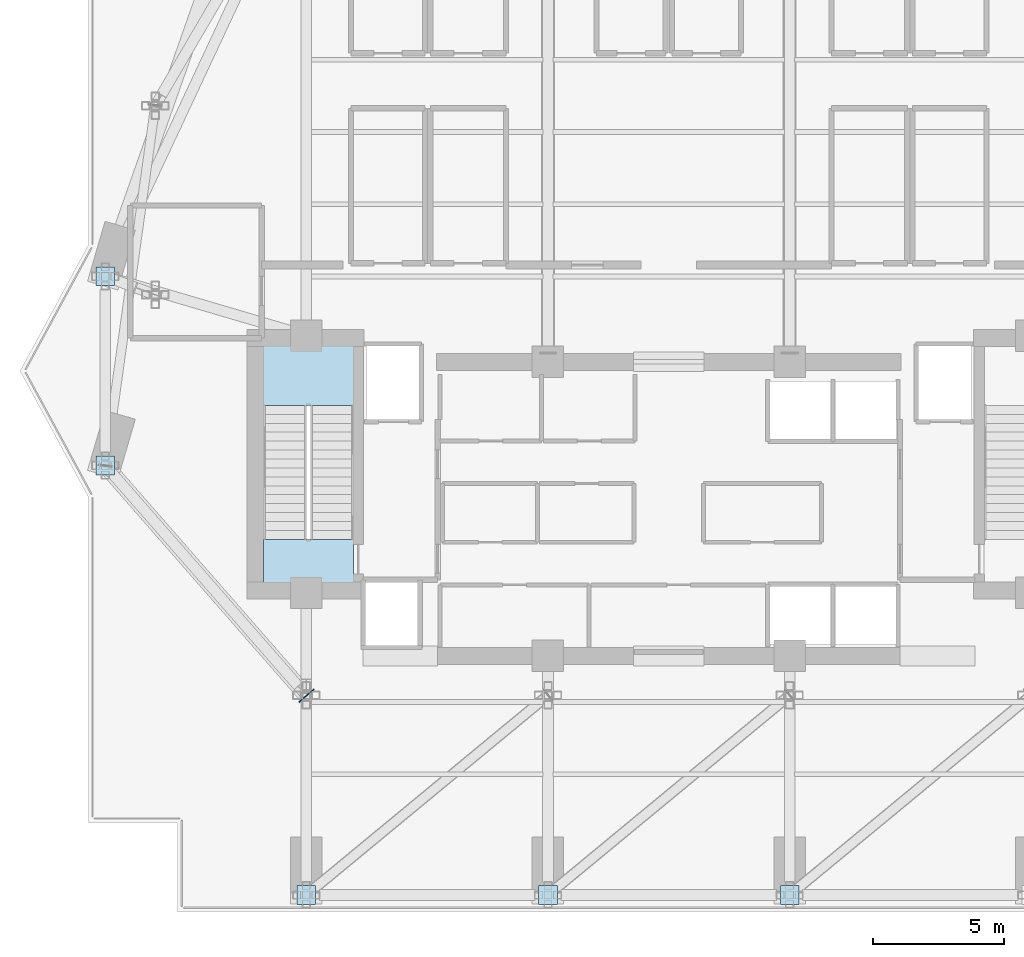
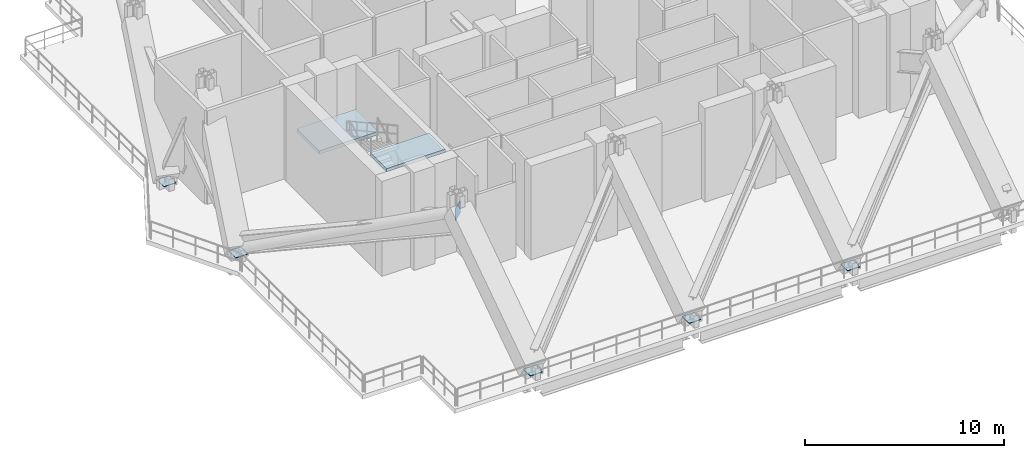
# One storey, part 7 of 18: 6 plates, 2 slabs, 1 element without a shape of its own.
"""IFC4 building model written with IfcOpenShell, lengths in metres."""

import ifcopenshell
import ifcopenshell.guid

model = None  # the IFC model being written
_history = None  # IfcOwnerHistory: only IFC2X3 demands one
_inside = {}  # id of a spatial element -> (the spatial element, [elements in it])
_under = {}  # id of a project, library or spatial element -> (it, [spatial elements below it])
_declared = {}  # id of a project -> (the project, [libraries it declares])
_typed = {}  # id of a type object -> (the type object, [elements of that type])
_made_of = {}  # id of a material, layer set ... -> (it, [elements and type objects made of it])


def new_model(schema):
    """Start an empty IFC model of exactly this schema.

    Asked for "IFC4X3", IfcOpenShell would pick the latest addendum, in which some entities
    have other attributes; the version numbers below select the first issue.
    IFC2X3 requires an IfcOwnerHistory on every rooted entity: one is made here for all.
    """
    global model, _history
    if schema == "IFC4X3":
        model = ifcopenshell.file(schema_version=(4, 3, 0, 0))
    else:
        model = ifcopenshell.file(schema=schema)
    _inside.clear()
    _under.clear()
    _declared.clear()
    _typed.clear()
    _made_of.clear()
    _history = None
    if model.schema == "IFC2X3":
        org = make("IfcOrganization", Name="unknown")
        user = make(
            "IfcPersonAndOrganization",
            ThePerson=make("IfcPerson", FamilyName="unknown"),
            TheOrganization=org,
        )
        app = make(
            "IfcApplication",
            ApplicationDeveloper=org,
            Version="unknown",
            ApplicationFullName="unknown",
            ApplicationIdentifier="unknown",
        )
        _history = make(
            "IfcOwnerHistory",
            OwningUser=user,
            OwningApplication=app,
            ChangeAction="ADDED",
            CreationDate=0,
        )
    return model


def make(cls, **values):
    """One entity of the class cls with the attributes given. An attribute that is None is left unset."""
    return model.create_entity(
        cls, **{name: value for name, value in values.items() if value is not None}
    )


def rooted(cls, **values):
    """An entity with a GlobalId (a new one), such as an element, a storey or a relation."""
    return make(cls, GlobalId=ifcopenshell.guid.new(), OwnerHistory=_history, **values)


def si_unit(unit_type, name, prefix=None):
    """IfcSIUnit, for example si_unit("LENGTHUNIT", "METRE", prefix="MILLI")."""
    return make("IfcSIUnit", UnitType=unit_type, Prefix=prefix, Name=name)


def assignment(units):
    """IfcUnitAssignment: the units of a project."""
    return None if units is None else make("IfcUnitAssignment", Units=units)


def point(xyz):
    """IfcCartesianPoint."""
    return None if xyz is None else make("IfcCartesianPoint", Coordinates=xyz)


def direction(xyz):
    """IfcDirection."""
    return None if xyz is None else make("IfcDirection", DirectionRatios=xyz)


def frame(location, z_axis=None, x_axis=None):
    """IfcAxis2Placement3D, a coordinate frame: its origin and axes. An axis left out is left unset."""
    return make(
        "IfcAxis2Placement3D",
        Location=point(location),
        Axis=direction(z_axis),
        RefDirection=direction(x_axis),
    )


def frame_2d(location, x_axis=None):
    """IfcAxis2Placement2D, a coordinate frame in the plane: its origin and x axis."""
    return make(
        "IfcAxis2Placement2D", Location=point(location), RefDirection=direction(x_axis)
    )


def origin():
    """The frame at (0, 0, 0) with its axes left unset."""
    return frame((0.0, 0.0, 0.0))


def origin_2d():
    """The frame at (0, 0) in the plane with its x axis left unset."""
    return frame_2d((0.0, 0.0))


def place(relative_to, where):
    """IfcLocalPlacement: puts the frame where relative to a parent placement (None: the world)."""
    return make(
        "IfcLocalPlacement", PlacementRelTo=relative_to, RelativePlacement=where
    )


def context(
    kind, dimensions, precision=None, world=None, true_north=None, identifier=None
):
    """IfcGeometricRepresentationContext, for example the 3D "Model" context."""
    return make(
        "IfcGeometricRepresentationContext",
        ContextIdentifier=identifier,
        ContextType=kind,
        CoordinateSpaceDimension=dimensions,
        Precision=precision,
        WorldCoordinateSystem=world,
        TrueNorth=true_north,
    )


def subcontext(parent, identifier, kind, view, scale=None):
    """IfcGeometricRepresentationSubContext, for example "Body" below "Model"."""
    return make(
        "IfcGeometricRepresentationSubContext",
        ContextIdentifier=identifier,
        ContextType=kind,
        ParentContext=parent,
        TargetScale=scale,
        TargetView=view,
    )


def project(units=None, contexts=None):
    """IfcProject with its units and contexts."""
    return rooted(
        "IfcProject",
        Name="project",
        RepresentationContexts=contexts,
        UnitsInContext=assignment(units),
    )


def spatial(cls, under=None, at=None, **own):
    """A site, building, storey or space (cls), placed at a placement, below another one or the project."""
    s = rooted(cls, ObjectPlacement=at, **own)
    if under is not None:
        _under.setdefault(under.id(), (under, []))[1].append(s)
    return s


def polyline(points):
    """IfcPolyline through the points."""
    return make("IfcPolyline", Points=[point(p) for p in points])


def profile(cls, at=None, kind="AREA", **sizes):
    """A parametric profile (cls). Its sizes go by their IFC names, for example OverallWidth=200.0."""
    return make(cls, ProfileType=kind, Position=at, **sizes)


def rectangle(**sizes):
    """IfcRectangleProfileDef."""
    return profile("IfcRectangleProfileDef", **sizes)


def outline(outer, holes=None, kind="AREA"):
    """IfcArbitraryClosedProfileDef: a profile drawn as a closed curve; with holes, ...WithVoids."""
    if holes is None:
        return make("IfcArbitraryClosedProfileDef", ProfileType=kind, OuterCurve=outer)
    return make(
        "IfcArbitraryProfileDefWithVoids",
        ProfileType=kind,
        OuterCurve=outer,
        InnerCurves=holes,
    )


def extrude(swept, where, along, depth):
    """IfcExtrudedAreaSolid: the profile swept, set in the frame where, extruded along a direction by depth."""
    return make(
        "IfcExtrudedAreaSolid",
        SweptArea=swept,
        Position=where,
        ExtrudedDirection=direction(along),
        Depth=depth,
    )


def shape(context_of_items, identifier, shape_type, items):
    """IfcShapeRepresentation: the items that make up one representation, for example the "Body"."""
    return make(
        "IfcShapeRepresentation",
        ContextOfItems=context_of_items,
        RepresentationIdentifier=identifier,
        RepresentationType=shape_type,
        Items=items,
    )


def material(Name=None, Category=None):
    """IfcMaterial."""
    return make("IfcMaterial", Name=Name, Category=Category)


def layer(
    of_material, thickness, ventilated=None, Name=None, Category=None, Priority=None
):
    """IfcMaterialLayer: one layer of a wall or slab, of a material (None: an air gap)."""
    return make(
        "IfcMaterialLayer",
        Material=of_material,
        LayerThickness=thickness,
        IsVentilated=ventilated,
        Name=Name,
        Category=Category,
        Priority=Priority,
    )


def layer_set(layers, Name=None):
    """IfcMaterialLayerSet."""
    return make("IfcMaterialLayerSet", MaterialLayers=layers, LayerSetName=Name)


def made_of(thing, what):
    """Note that an element or type object is made of a material, layer set ...; save() writes the relation."""
    if what is not None:
        _made_of.setdefault(what.id(), (what, []))[1].append(thing)
    return thing


def type_object(cls, material=None, **own):
    """A type object (cls), such as IfcWallType, which elements share."""
    return made_of(rooted(cls, **own), material)


def element(
    cls,
    number,
    at=None,
    inside=None,
    cuts=None,
    type_object=None,
    material=None,
    context=None,
    identifier="Body",
    shape_type=None,
    held_by="IfcProductDefinitionShape",
    body=None,
    shapes=None,
    **own,
):
    """One element of the class cls, such as IfcWall. Its Tag is "e" and its number.

    at: its placement. inside: the storey or other place that contains it. cuts: it is an
    opening in that element (IfcRelVoidsElement). A single representation is given by context,
    identifier, shape_type and body (its items); several are given by shapes. held_by: the class
    of the entity that holds the representations. save() writes the other relations.
    """
    e = rooted(cls, Tag="e%d" % number, ObjectPlacement=at, **own)
    if body is not None:
        shapes = [shape(context, identifier, shape_type, body)]
    if shapes is not None:
        e.Representation = make(held_by, Representations=shapes)
    if inside is not None:
        _inside.setdefault(inside.id(), (inside, []))[1].append(e)
    if cuts is not None:
        rooted(
            "IfcRelVoidsElement", RelatingBuildingElement=cuts, RelatedOpeningElement=e
        )
    if type_object is not None:
        _typed.setdefault(type_object.id(), (type_object, []))[1].append(e)
    return made_of(e, material)


def aggregate(whole, parts):
    """IfcRelAggregates: a whole, such as a stair, and the parts it consists of."""
    return rooted("IfcRelAggregates", RelatingObject=whole, RelatedObjects=parts)


def save(model, path):
    """Write the relations noted so far, then the file.

    IfcRelAggregates (storeys below a building ...), IfcRelContainedInSpatialStructure (elements
    in a storey), IfcRelDefinesByType, IfcRelAssociatesMaterial and IfcRelDeclares: one each for
    every whole, place, type object, material and project.
    """
    for whole, parts in _under.values():
        aggregate(whole, parts)
    for where, things in _inside.values():
        rooted(
            "IfcRelContainedInSpatialStructure",
            RelatedElements=things,
            RelatingStructure=where,
        )
    for kind, things in _typed.values():
        rooted("IfcRelDefinesByType", RelatedObjects=things, RelatingType=kind)
    for what, things in _made_of.values():
        rooted("IfcRelAssociatesMaterial", RelatedObjects=things, RelatingMaterial=what)
    for by, libraries in _declared.values():
        rooted("IfcRelDeclares", RelatingContext=by, RelatedDefinitions=libraries)
    model.write(path)


model = new_model("IFC4")

# Units and contexts
model_context = context("Model", 3, precision=1e-05, world=origin(), true_north=direction((0.0, 1.0)))
body_context = subcontext(model_context, "Body", "Model", "MODEL_VIEW")
ifc_project = project(units=[si_unit("LENGTHUNIT", "METRE"), si_unit("AREAUNIT", "SQUARE_METRE"), si_unit("VOLUMEUNIT", "CUBIC_METRE"), si_unit("PLANEANGLEUNIT", "RADIAN"), si_unit("MASSUNIT", "GRAM", prefix="KILO")], contexts=[model_context])

# Site, building, storey
site_placement = place(None, origin())
site = spatial("IfcSite", under=ifc_project, at=site_placement, CompositionType="ELEMENT")
building_placement = place(site_placement, origin())
building = spatial("IfcBuilding", under=site, at=building_placement, Name="Zuhayl Quay Hotel", CompositionType="ELEMENT")
storey_placement = place(building_placement, frame((0.0, 0.0, 233.64990234375)))
storey = spatial("IfcBuildingStorey", under=building, at=storey_placement, Name="L59", CompositionType="ELEMENT", Elevation=233.64990234375)

# Stair, slabs
ifc_material_1 = material(Name="Concrete C45/55", Category="concrete")
stair_type = type_object("IfcStairType", Name="ST_DOGLEG_TOWER", PredefinedType="HALF_TURN_STAIR", material=ifc_material_1)
stair_placement = place(storey_placement, origin())
stair = element("IfcStair", 1, at=stair_placement, inside=storey, type_object=stair_type, Name="L59 Smokeproof Exit Stair ST1", PredefinedType="HALF_TURN_STAIR")
ifc_layer_1 = layer(ifc_material_1, 0.199951171875, Name="Concrete C45/55", Category="concrete")
ifc_layer_set_1 = layer_set([ifc_layer_1], Name="Concrete C45/55")
slab_type = type_object("IfcSlabType", Name="SL_STAIR_LANDING_200", PredefinedType="LANDING", material=ifc_layer_set_1)
slab_1_placement = place(storey_placement, frame((0.0, 0.0, 2.800048828125)))
slab_1 = element("IfcSlab", 2, at=slab_1_placement, type_object=slab_type, Name="ST1 landing 1", PredefinedType="LANDING", context=body_context, shape_type="SweptSolid", body=[
    extrude(outline(polyline([(-12.0, 11.68994140625), (-12.0, 13.949951171875), (-15.429931640625, 13.949951171875), (-15.429931640625, 11.68994140625), (-12.0, 11.68994140625)])), origin(), (0.0, 0.0, 1.0), 0.199951171875),
])
slab_2_placement = place(storey_placement, frame((0.0, 0.0, 5.800048828125)))
slab_2 = element("IfcSlab", 3, at=slab_2_placement, type_object=slab_type, Name="ST1 landing 2", PredefinedType="LANDING", context=body_context, shape_type="SweptSolid", body=[
    extrude(outline(polyline([(-12.0, 4.949951171875), (-12.0, 6.590087890625), (-15.429931640625, 6.590087890625), (-15.429931640625, 4.949951171875), (-12.0, 4.949951171875)])), origin(), (0.0, 0.0, 1.0), 0.199951171875),
])
aggregate(stair, [slab_1, slab_2])

# Plates
ifc_material_2 = material(Name="Steel ASTM A572 Grade 50", Category="steel")
ifc_layer_2 = layer(ifc_material_2, 0.0400390625, Name="Steel ASTM A572 Grade 50", Category="steel")
ifc_layer_set_2 = layer_set([ifc_layer_2], Name="Steel ASTM A572 Grade 50")
plate_type = type_object("IfcPlateType", Name="TP_CAP_PLATE_40", PredefinedType="USERDEFINED", material=ifc_layer_set_2)
for number, where, z_axis, x_axis, name in (
    (4, (-13.800048828125, -6.949951171875, 0.24609375), (0.0, 0.0, 1.0), (1.0, 0.0, 0.0), "Truss Node Cap Assembly KN1"),
    (5, (-4.60009765625, -6.949951171875, 0.24609375), (0.0, 0.0, 1.0), (1.0, 0.0, 0.0), "Truss Node Cap Assembly KN1"),
    (6, (4.60009765625, -6.949951171875, 0.24609375), (0.0, 0.0, 1.0), (1.0, 0.0, 0.0), "Truss Node Cap Assembly KN1"),
    (7, (-21.449951171875, 9.39990234375, 0.24609375), (0.0, 0.0, 1.0), (1.0, 0.0, 0.0), "Truss Node Cap Assembly KN1"),
    (8, (-21.449951171875, 16.60009765625, 0.24609375), (0.0, 0.0, 1.0), (1.0, 0.0, 0.0), "Truss Node Cap Assembly KN1"),
):
    element("IfcPlate", number, at=place(storey_placement, frame(where, z_axis=z_axis, x_axis=x_axis)), inside=storey, type_object=plate_type, Name=name, ObjectType="GUSSET PLATE", PredefinedType="USERDEFINED", context=body_context, shape_type="SweptSolid", body=[
        extrude(rectangle(XDim=0.708984375, YDim=0.708984375, at=origin_2d()), origin(), (0.0, 0.0, 1.0), 0.0400390625),
    ])
plate_placement = place(storey_placement, frame((-13.790283203125, 0.638916015625, 5.081298828125), z_axis=(0.0, 0.0, 1.0), x_axis=(0.658164014943, -0.752874577493, 0.0)))
element("IfcPlate", 9, at=plate_placement, inside=storey, type_object=plate_type, Name="Truss Node Cap Assembly KN1", ObjectType="GUSSET PLATE", PredefinedType="USERDEFINED", context=body_context, shape_type="SweptSolid", body=[
    extrude(rectangle(XDim=0.0400390625, YDim=0.75, at=origin_2d()), origin(), (0.0, 0.0, 1.0), 0.75),
])

save(model, "model.ifc")
